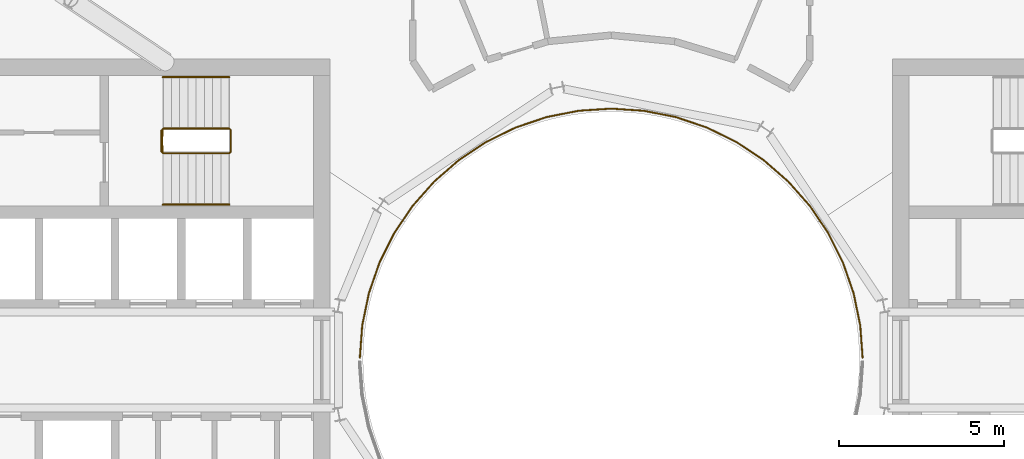
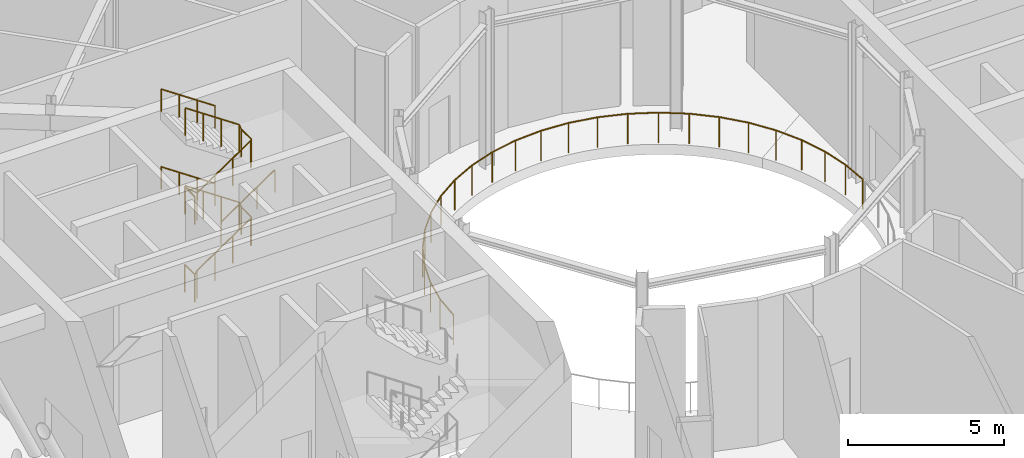
# One storey, part 22 of 24: 5 railings.
"""IFC4 building model written with IfcOpenShell, lengths in metres."""

from ifc_helpers import new_model, si_unit, direction, frame, origin, origin_2d, place, context, subcontext, project, spatial, circle, extrude, material, type_object, element, save


model = new_model("IFC4")

# Units and contexts
model_context = context("Model", 3, precision=1e-05, world=origin(), true_north=direction((0.0, 1.0)))
body_context = subcontext(model_context, "Body", "Model", "MODEL_VIEW")
ifc_project = project(units=[si_unit("LENGTHUNIT", "METRE"), si_unit("AREAUNIT", "SQUARE_METRE"), si_unit("VOLUMEUNIT", "CUBIC_METRE"), si_unit("PLANEANGLEUNIT", "RADIAN"), si_unit("MASSUNIT", "GRAM", prefix="KILO")], contexts=[model_context])

# Site, building, storey
site_placement = place(None, origin())
site = spatial("IfcSite", under=ifc_project, at=site_placement, CompositionType="ELEMENT")
building_placement = place(site_placement, origin())
building = spatial("IfcBuilding", under=site, at=building_placement, Name="Maasbend Ring Residences", CompositionType="ELEMENT")
storey_placement = place(building_placement, frame((0.0, 0.0, 179.89990234375)))
storey = spatial("IfcBuildingStorey", under=building, at=storey_placement, Name="L52", CompositionType="ELEMENT", Elevation=179.89990234375)

# Railings
ifc_material_1 = material(Name="Stainless steel 316 and glass", Category="steel")
railing_type_1 = type_object("IfcRailingType", Name="RL-GUARD", PredefinedType="GUARDRAIL", material=ifc_material_1)
railing_1_placement = place(storey_placement, frame((7.599609375, 0.06640625, 0.0)))
element("IfcRailing", 1, at=railing_1_placement, inside=storey, type_object=railing_type_1, Name="Garden guard well 1", PredefinedType="GUARDRAIL", context=body_context, shape_type="SweptSolid", body=[
    extrude(circle(Radius=0.02490234375, at=origin_2d()), frame((0.0, 0.0, 1.1748046875), z_axis=(-0.073598762792, 0.997287933405, 0.0), x_axis=(-0.997287933405, -0.073598762792, 0.0)), (0.0, 0.0, 1.0), 0.988525390625),
    extrude(circle(Radius=0.02490234375, at=origin_2d()), frame((-0.07275390625, 0.98583984375, 1.1748046875), z_axis=(-0.202760766137, 0.979228304184, 0.0), x_axis=(-0.979228304184, -0.202760766137, 0.0)), (0.0, 0.0, 1.0), 0.988525390625),
    extrude(circle(Radius=0.02490234375, at=origin_2d()), frame((-0.273193359375, 1.953857421875, 1.1748046875), z_axis=(-0.327907631853, 0.944709788757, 0.0), x_axis=(-0.944709788757, -0.327907631853, 0.0)), (0.0, 0.0, 1.0), 0.98876953125),
    extrude(circle(Radius=0.02490234375, at=origin_2d()), frame((-0.597412109375, 2.887939453125, 1.1748046875), z_axis=(-0.447806291046, 0.894130597676, 0.0), x_axis=(-0.894130597676, -0.447806291046, 0.0)), (0.0, 0.0, 1.0), 0.988525390625),
    extrude(circle(Radius=0.02490234375, at=origin_2d()), frame((-1.0400390625, 3.771728515625, 1.1748046875), z_axis=(-0.560045259563, 0.828462013155, 0.0), x_axis=(-0.828462013155, -0.560045259563, 0.0)), (0.0, 0.0, 1.0), 0.98876953125),
    extrude(circle(Radius=0.02490234375, at=origin_2d()), frame((-1.59375, 4.5908203125, 1.1748046875), z_axis=(-0.662829611997, 0.748770262137, 0.0), x_axis=(-0.748770262137, -0.662829611997, 0.0)), (0.0, 0.0, 1.0), 0.988525390625),
    extrude(circle(Radius=0.02490234375, at=origin_2d()), frame((-2.2490234375, 5.3310546875, 1.1748046875), z_axis=(-0.754424735376, 0.656386561908, 0.0), x_axis=(-0.656386561908, -0.754424735376, 0.0)), (0.0, 0.0, 1.0), 0.988525390625),
    extrude(circle(Radius=0.02490234375, at=origin_2d()), frame((-2.994873046875, 5.97998046875, 1.1748046875), z_axis=(-0.833415421364, 0.552647026078, 0.0), x_axis=(-0.552647026078, -0.833415421364, 0.0)), (0.0, 0.0, 1.0), 0.98876953125),
    extrude(circle(Radius=0.02490234375, at=origin_2d()), frame((-3.81884765625, 6.5263671875, 1.1748046875), z_axis=(-0.89795516916, 0.440086939341, 0.0), x_axis=(-0.440086939341, -0.89795516916, 0.0)), (0.0, 0.0, 1.0), 0.988525390625),
    extrude(circle(Radius=0.02490234375, at=origin_2d()), frame((-4.70654296875, 6.96142578125, 1.1748046875), z_axis=(-0.947491343753, 0.31978141521, 0.0), x_axis=(-0.31978141521, -0.947491343753, 0.0)), (0.0, 0.0, 1.0), 0.98876953125),
    extrude(circle(Radius=0.02490234375, at=origin_2d()), frame((-5.643310546875, 7.277587890625, 1.1748046875), z_axis=(-0.981024607585, 0.193883262073, 0.0), x_axis=(-0.193883262073, -0.981024607585, 0.0)), (0.0, 0.0, 1.0), 0.988525390625),
    extrude(circle(Radius=0.02490234375, at=origin_2d()), frame((-6.613037109375, 7.46923828125, 1.1748046875), z_axis=(-0.997872778693, 0.06519139163, 0.0), x_axis=(-0.06519139163, -0.997872778693, 0.0)), (0.0, 0.0, 1.0), 0.98876953125),
    extrude(circle(Radius=0.02490234375, at=origin_2d()), frame((-7.599609375, 7.53369140625, 1.1748046875), z_axis=(-0.997872778693, -0.06519139163, 0.0), x_axis=(0.06519139163, -0.997872778693, 0.0)), (0.0, 0.0, 1.0), 0.98876953125),
    extrude(circle(Radius=0.02490234375, at=origin_2d()), frame((-8.586181640625, 7.46923828125, 1.1748046875), z_axis=(-0.981024607585, -0.193883262073, 0.0), x_axis=(0.193883262073, -0.981024607585, 0.0)), (0.0, 0.0, 1.0), 0.988525390625),
    extrude(circle(Radius=0.02490234375, at=origin_2d()), frame((-9.555908203125, 7.277587890625, 1.1748046875), z_axis=(-0.947491343753, -0.31978141521, 0.0), x_axis=(0.31978141521, -0.947491343753, 0.0)), (0.0, 0.0, 1.0), 0.98876953125),
    extrude(circle(Radius=0.02490234375, at=origin_2d()), frame((-10.49267578125, 6.96142578125, 1.1748046875), z_axis=(-0.89795516916, -0.440086939341, 0.0), x_axis=(0.440086939341, -0.89795516916, 0.0)), (0.0, 0.0, 1.0), 0.988525390625),
    extrude(circle(Radius=0.02490234375, at=origin_2d()), frame((-11.38037109375, 6.5263671875, 1.1748046875), z_axis=(-0.833415421364, -0.552647026078, 0.0), x_axis=(0.552647026078, -0.833415421364, 0.0)), (0.0, 0.0, 1.0), 0.98876953125),
    extrude(circle(Radius=0.02490234375, at=origin_2d()), frame((-12.204345703125, 5.97998046875, 1.1748046875), z_axis=(-0.754424735376, -0.656386561908, 0.0), x_axis=(0.656386561908, -0.754424735376, 0.0)), (0.0, 0.0, 1.0), 0.988525390625),
    extrude(circle(Radius=0.02490234375, at=origin_2d()), frame((-12.9501953125, 5.3310546875, 1.1748046875), z_axis=(-0.662829611997, -0.748770262137, 0.0), x_axis=(0.748770262137, -0.662829611997, 0.0)), (0.0, 0.0, 1.0), 0.988525390625),
    extrude(circle(Radius=0.02490234375, at=origin_2d()), frame((-13.60546875, 4.5908203125, 1.1748046875), z_axis=(-0.560045259563, -0.828462013155, 0.0), x_axis=(0.828462013155, -0.560045259563, 0.0)), (0.0, 0.0, 1.0), 0.98876953125),
    extrude(circle(Radius=0.02490234375, at=origin_2d()), frame((-14.1591796875, 3.771728515625, 1.1748046875), z_axis=(-0.447806291046, -0.894130597676, 0.0), x_axis=(0.894130597676, -0.447806291046, 0.0)), (0.0, 0.0, 1.0), 0.988525390625),
    extrude(circle(Radius=0.02490234375, at=origin_2d()), frame((-14.601806640625, 2.887939453125, 1.1748046875), z_axis=(-0.327907631853, -0.944709788757, 0.0), x_axis=(0.944709788757, -0.327907631853, 0.0)), (0.0, 0.0, 1.0), 0.98876953125),
    extrude(circle(Radius=0.02490234375, at=origin_2d()), frame((-14.926025390625, 1.953857421875, 1.1748046875), z_axis=(-0.202760766137, -0.979228304184, 0.0), x_axis=(0.979228304184, -0.202760766137, 0.0)), (0.0, 0.0, 1.0), 0.988525390625),
    extrude(circle(Radius=0.02490234375, at=origin_2d()), frame((-15.12646484375, 0.98583984375, 1.1748046875), z_axis=(-0.073598762792, -0.997287933405, 0.0), x_axis=(0.997287933405, -0.073598762792, 0.0)), (0.0, 0.0, 1.0), 0.988525390625),
    extrude(circle(Radius=0.02001953125, at=origin_2d()), origin(), (0.0, 0.0, 1.0), 1.14990234375),
    extrude(circle(Radius=0.02001953125, at=origin_2d()), frame((-0.07275390625, 0.98583984375, 0.0)), (0.0, 0.0, 1.0), 1.14990234375),
    extrude(circle(Radius=0.02001953125, at=origin_2d()), frame((-0.273193359375, 1.953857421875, 0.0)), (0.0, 0.0, 1.0), 1.14990234375),
    extrude(circle(Radius=0.02001953125, at=origin_2d()), frame((-0.597412109375, 2.887939453125, 0.0)), (0.0, 0.0, 1.0), 1.14990234375),
    extrude(circle(Radius=0.02001953125, at=origin_2d()), frame((-1.0400390625, 3.771728515625, 0.0)), (0.0, 0.0, 1.0), 1.14990234375),
    extrude(circle(Radius=0.02001953125, at=origin_2d()), frame((-1.59375, 4.5908203125, 0.0)), (0.0, 0.0, 1.0), 1.14990234375),
    extrude(circle(Radius=0.02001953125, at=origin_2d()), frame((-2.2490234375, 5.3310546875, 0.0)), (0.0, 0.0, 1.0), 1.14990234375),
    extrude(circle(Radius=0.02001953125, at=origin_2d()), frame((-2.994873046875, 5.97998046875, 0.0)), (0.0, 0.0, 1.0), 1.14990234375),
    extrude(circle(Radius=0.02001953125, at=origin_2d()), frame((-3.81884765625, 6.5263671875, 0.0)), (0.0, 0.0, 1.0), 1.14990234375),
    extrude(circle(Radius=0.02001953125, at=origin_2d()), frame((-4.70654296875, 6.96142578125, 0.0)), (0.0, 0.0, 1.0), 1.14990234375),
    extrude(circle(Radius=0.02001953125, at=origin_2d()), frame((-5.643310546875, 7.277587890625, 0.0)), (0.0, 0.0, 1.0), 1.14990234375),
    extrude(circle(Radius=0.02001953125, at=origin_2d()), frame((-6.613037109375, 7.46923828125, 0.0)), (0.0, 0.0, 1.0), 1.14990234375),
    extrude(circle(Radius=0.02001953125, at=origin_2d()), frame((-7.599609375, 7.53369140625, 0.0)), (0.0, 0.0, 1.0), 1.14990234375),
    extrude(circle(Radius=0.02001953125, at=origin_2d()), frame((-8.586181640625, 7.46923828125, 0.0)), (0.0, 0.0, 1.0), 1.14990234375),
    extrude(circle(Radius=0.02001953125, at=origin_2d()), frame((-9.555908203125, 7.277587890625, 0.0)), (0.0, 0.0, 1.0), 1.14990234375),
    extrude(circle(Radius=0.02001953125, at=origin_2d()), frame((-10.49267578125, 6.96142578125, 0.0)), (0.0, 0.0, 1.0), 1.14990234375),
    extrude(circle(Radius=0.02001953125, at=origin_2d()), frame((-11.38037109375, 6.5263671875, 0.0)), (0.0, 0.0, 1.0), 1.14990234375),
    extrude(circle(Radius=0.02001953125, at=origin_2d()), frame((-12.204345703125, 5.97998046875, 0.0)), (0.0, 0.0, 1.0), 1.14990234375),
    extrude(circle(Radius=0.02001953125, at=origin_2d()), frame((-12.9501953125, 5.3310546875, 0.0)), (0.0, 0.0, 1.0), 1.14990234375),
    extrude(circle(Radius=0.02001953125, at=origin_2d()), frame((-13.60546875, 4.5908203125, 0.0)), (0.0, 0.0, 1.0), 1.14990234375),
    extrude(circle(Radius=0.02001953125, at=origin_2d()), frame((-14.1591796875, 3.771728515625, 0.0)), (0.0, 0.0, 1.0), 1.14990234375),
    extrude(circle(Radius=0.02001953125, at=origin_2d()), frame((-14.601806640625, 2.887939453125, 0.0)), (0.0, 0.0, 1.0), 1.14990234375),
    extrude(circle(Radius=0.02001953125, at=origin_2d()), frame((-14.926025390625, 1.953857421875, 0.0)), (0.0, 0.0, 1.0), 1.14990234375),
    extrude(circle(Radius=0.02001953125, at=origin_2d()), frame((-15.12646484375, 0.98583984375, 0.0)), (0.0, 0.0, 1.0), 1.14990234375),
    extrude(circle(Radius=0.02001953125, at=origin_2d()), frame((-15.19921875, 0.0, 0.0)), (0.0, 0.0, 1.0), 1.14990234375),
])
ifc_material_2 = material(Name="Stainless steel 316", Category="steel")
railing_type_2 = type_object("IfcRailingType", Name="STAIR GUARD 1100", PredefinedType="GUARDRAIL", material=ifc_material_2)
railing_2_placement = place(storey_placement, frame((-13.60009765625, 6.949951171875, 0.0)))
element("IfcRailing", 2, at=railing_2_placement, inside=storey, type_object=railing_type_2, Name="L52 ST-W2 stair guard 1", PredefinedType="GUARDRAIL", context=body_context, shape_type="SweptSolid", body=[
    extrude(circle(Radius=0.02392578125, at=origin_2d()), frame((0.0, 0.0, 1.076171875), z_axis=(0.0, -1.0, 0.0), x_axis=(1.0, 0.0, 0.0)), (0.0, 0.0, 1.0), 0.64990234375),
    extrude(circle(Radius=0.02392578125, at=origin_2d()), frame((0.0, -0.64990234375, 1.076171875), z_axis=(0.272562526181, -0.272562526181, 0.92272386912), x_axis=(0.707106781187, 0.707106781187, 0.0)), (0.0, 0.0, 1.0), 0.18359375),
    extrude(circle(Radius=0.02392578125, at=origin_2d()), frame((0.050048828125, -0.699951171875, 1.24560546875), z_axis=(0.827750655447, 0.0, 0.561096116906), x_axis=(0.0, 1.0, 0.0)), (0.0, 0.0, 1.0), 2.416259765625),
    extrude(circle(Radius=0.02392578125, at=origin_2d()), frame((2.050048828125, -0.699951171875, 2.60107421875), z_axis=(0.707106781187, 0.707106781187, 0.0), x_axis=(-0.707106781187, 0.707106781187, 0.0)), (0.0, 0.0, 1.0), 0.07080078125),
    extrude(circle(Radius=0.02392578125, at=origin_2d()), frame((2.10009765625, -0.64990234375, 2.60107421875), z_axis=(0.0, 1.0, 0.0), x_axis=(-1.0, 0.0, 0.0)), (0.0, 0.0, 1.0), 0.64990234375),
    extrude(circle(Radius=0.02392578125, at=origin_2d()), frame((2.10009765625, 0.0, 2.60107421875), z_axis=(-0.272562526181, 0.272562526181, 0.92272386912), x_axis=(-0.707106781187, -0.707106781187, 0.0)), (0.0, 0.0, 1.0), 0.18359375),
    extrude(circle(Radius=0.02392578125, at=origin_2d()), frame((2.050048828125, 0.050048828125, 2.7705078125), z_axis=(-0.827797584762, 0.0, 0.561026878735), x_axis=(0.0, -1.0, 0.0)), (0.0, 0.0, 1.0), 2.416015625),
    extrude(circle(Radius=0.02392578125, at=origin_2d()), frame((0.050048828125, 0.050048828125, 4.1259765625), z_axis=(-0.071321223157, -0.997453398975, 0.0), x_axis=(0.997453398975, -0.071321223157, 0.0)), (0.0, 0.0, 1.0), 0.70166015625),
    extrude(circle(Radius=0.02392578125, at=origin_2d()), frame((0.0, -0.64990234375, 4.1259765625), z_axis=(0.0, 1.0, 0.0), x_axis=(-1.0, 0.0, 0.0)), (0.0, 0.0, 1.0), 0.64990234375),
    extrude(circle(Radius=0.02392578125, at=origin_2d()), frame((0.0, 0.0, 4.1259765625), z_axis=(0.069328998915, -0.969591414091, 0.234704025594), x_axis=(0.997453398975, 0.071321223157, 0.0)), (0.0, 0.0, 1.0), 0.721923828125),
    extrude(circle(Radius=0.02392578125, at=origin_2d()), frame((0.050048828125, -0.699951171875, 4.29541015625), z_axis=(0.827750655447, 0.0, 0.561096116906), x_axis=(0.0, 1.0, 0.0)), (0.0, 0.0, 1.0), 2.416259765625),
    extrude(circle(Radius=0.02392578125, at=origin_2d()), frame((2.050048828125, -0.699951171875, 5.6513671875), z_axis=(0.707106781187, 0.707106781187, 0.0), x_axis=(-0.707106781187, 0.707106781187, 0.0)), (0.0, 0.0, 1.0), 0.07080078125),
    extrude(circle(Radius=0.02392578125, at=origin_2d()), frame((2.10009765625, -0.64990234375, 5.6513671875), z_axis=(0.0, 1.0, 0.0), x_axis=(-1.0, 0.0, 0.0)), (0.0, 0.0, 1.0), 0.64990234375),
    extrude(circle(Radius=0.02392578125, at=origin_2d()), frame((2.10009765625, 0.0, 5.6513671875), z_axis=(-0.272562526181, 0.272562526181, 0.92272386912), x_axis=(-0.707106781187, -0.707106781187, 0.0)), (0.0, 0.0, 1.0), 0.18359375),
    extrude(circle(Radius=0.02392578125, at=origin_2d()), frame((2.050048828125, 0.050048828125, 5.82080078125), z_axis=(-0.827797584762, 0.0, 0.561026878735), x_axis=(0.0, -1.0, 0.0)), (0.0, 0.0, 1.0), 2.416015625),
    extrude(circle(Radius=0.02099609375, at=origin_2d()), origin(), (0.0, 0.0, 1.0), 1.052001953125),
    extrude(circle(Radius=0.02099609375, at=origin_2d()), frame((0.0, -0.64990234375, 0.0)), (0.0, 0.0, 1.0), 1.052001953125),
    extrude(circle(Radius=0.02099609375, at=origin_2d()), frame((0.050048828125, -0.699951171875, 0.16943359375)), (0.0, 0.0, 1.0), 1.052001953125),
    extrude(circle(Radius=0.02099609375, at=origin_2d()), frame((0.716796875, -0.699951171875, 0.621337890625)), (0.0, 0.0, 1.0), 1.052001953125),
    extrude(circle(Radius=0.02099609375, at=origin_2d()), frame((1.38330078125, -0.699951171875, 1.0732421875)), (0.0, 0.0, 1.0), 1.052001953125),
    extrude(circle(Radius=0.02099609375, at=origin_2d()), frame((2.050048828125, -0.699951171875, 1.525146484375)), (0.0, 0.0, 1.0), 1.052001953125),
    extrude(circle(Radius=0.02099609375, at=origin_2d()), frame((2.10009765625, -0.64990234375, 1.525146484375)), (0.0, 0.0, 1.0), 1.052001953125),
    extrude(circle(Radius=0.02099609375, at=origin_2d()), frame((2.10009765625, 0.0, 1.525146484375)), (0.0, 0.0, 1.0), 1.052001953125),
    extrude(circle(Radius=0.02099609375, at=origin_2d()), frame((2.050048828125, 0.050048828125, 1.694580078125)), (0.0, 0.0, 1.0), 1.052001953125),
    extrude(circle(Radius=0.02099609375, at=origin_2d()), frame((1.38330078125, 0.050048828125, 2.146484375)), (0.0, 0.0, 1.0), 1.052001953125),
    extrude(circle(Radius=0.02099609375, at=origin_2d()), frame((0.716796875, 0.050048828125, 2.59814453125)), (0.0, 0.0, 1.0), 1.052001953125),
    extrude(circle(Radius=0.02099609375, at=origin_2d()), frame((0.050048828125, 0.050048828125, 3.050048828125)), (0.0, 0.0, 1.0), 1.052001953125),
    extrude(circle(Radius=0.02099609375, at=origin_2d()), frame((0.0, -0.64990234375, 3.050048828125)), (0.0, 0.0, 1.0), 1.052001953125),
    extrude(circle(Radius=0.02099609375, at=origin_2d()), frame((0.0, 0.0, 3.050048828125)), (0.0, 0.0, 1.0), 1.052001953125),
    extrude(circle(Radius=0.02099609375, at=origin_2d()), frame((0.050048828125, -0.699951171875, 3.219482421875)), (0.0, 0.0, 1.0), 1.052001953125),
    extrude(circle(Radius=0.02099609375, at=origin_2d()), frame((0.716796875, -0.699951171875, 3.67138671875)), (0.0, 0.0, 1.0), 1.052001953125),
    extrude(circle(Radius=0.02099609375, at=origin_2d()), frame((1.38330078125, -0.699951171875, 4.123291015625)), (0.0, 0.0, 1.0), 1.052001953125),
    extrude(circle(Radius=0.02099609375, at=origin_2d()), frame((2.050048828125, -0.699951171875, 4.5751953125)), (0.0, 0.0, 1.0), 1.052001953125),
    extrude(circle(Radius=0.02099609375, at=origin_2d()), frame((2.10009765625, -0.64990234375, 4.5751953125)), (0.0, 0.0, 1.0), 1.052001953125),
    extrude(circle(Radius=0.02099609375, at=origin_2d()), frame((2.10009765625, 0.0, 4.5751953125)), (0.0, 0.0, 1.0), 1.052001953125),
    extrude(circle(Radius=0.02099609375, at=origin_2d()), frame((2.050048828125, 0.050048828125, 4.74462890625)), (0.0, 0.0, 1.0), 1.052001953125),
    extrude(circle(Radius=0.02099609375, at=origin_2d()), frame((1.38330078125, 0.050048828125, 5.196533203125)), (0.0, 0.0, 1.0), 1.052001953125),
    extrude(circle(Radius=0.02099609375, at=origin_2d()), frame((0.716796875, 0.050048828125, 5.648193359375)), (0.0, 0.0, 1.0), 1.052001953125),
    extrude(circle(Radius=0.02099609375, at=origin_2d()), frame((0.050048828125, 0.050048828125, 6.10009765625)), (0.0, 0.0, 1.0), 1.052001953125),
])
ifc_material_3 = material(Name="Stainless steel 316", Category="steel")
railing_type_3 = type_object("IfcRailingType", Name="STAIR HANDRAIL 900", PredefinedType="HANDRAIL", material=ifc_material_3)
railing_3_placement = place(storey_placement, frame((-11.550048828125, 8.550048828125, 1.694580078125)))
element("IfcRailing", 3, at=railing_3_placement, inside=storey, type_object=railing_type_3, Name="L52 ST-W2 stair handrail 2", PredefinedType="HANDRAIL", context=body_context, shape_type="SweptSolid", body=[
    extrude(circle(Radius=0.02392578125, at=origin_2d()), frame((0.0, 0.0, 0.8759765625), z_axis=(-0.827797584762, 0.0, 0.561026878735), x_axis=(0.0, -1.0, 0.0)), (0.0, 0.0, 1.0), 2.416015625),
    extrude(circle(Radius=0.02099609375, at=origin_2d()), origin(), (0.0, 0.0, 1.0), 0.851806640625),
    extrude(circle(Radius=0.02099609375, at=origin_2d()), frame((-0.666748046875, 0.0, 0.451904296875)), (0.0, 0.0, 1.0), 0.851806640625),
    extrude(circle(Radius=0.02099609375, at=origin_2d()), frame((-1.333251953125, 0.0, 0.903564453125)), (0.0, 0.0, 1.0), 0.851806640625),
    extrude(circle(Radius=0.02099609375, at=origin_2d()), frame((-2.0, 0.0, 1.35546875)), (0.0, 0.0, 1.0), 0.851806640625),
])
railing_4_placement = place(storey_placement, frame((-13.550048828125, 4.699951171875, 3.219482421875)))
element("IfcRailing", 4, at=railing_4_placement, inside=storey, type_object=railing_type_3, Name="L52 ST-W2 stair handrail 3", PredefinedType="HANDRAIL", context=body_context, shape_type="SweptSolid", body=[
    extrude(circle(Radius=0.02392578125, at=origin_2d()), frame((0.0, 0.0, 0.8759765625), z_axis=(0.827750655447, 0.0, 0.561096116906), x_axis=(0.0, 1.0, 0.0)), (0.0, 0.0, 1.0), 2.416259765625),
    extrude(circle(Radius=0.02099609375, at=origin_2d()), origin(), (0.0, 0.0, 1.0), 0.851806640625),
    extrude(circle(Radius=0.02099609375, at=origin_2d()), frame((0.666748046875, 0.0, 0.451904296875)), (0.0, 0.0, 1.0), 0.851806640625),
    extrude(circle(Radius=0.02099609375, at=origin_2d()), frame((1.333251953125, 0.0, 0.90380859375)), (0.0, 0.0, 1.0), 0.851806640625),
    extrude(circle(Radius=0.02099609375, at=origin_2d()), frame((2.0, 0.0, 1.355712890625)), (0.0, 0.0, 1.0), 0.851806640625),
])
railing_5_placement = place(storey_placement, frame((-11.550048828125, 8.550048828125, 4.74462890625)))
element("IfcRailing", 5, at=railing_5_placement, inside=storey, type_object=railing_type_3, Name="L52 ST-W2 stair handrail 4", PredefinedType="HANDRAIL", context=body_context, shape_type="SweptSolid", body=[
    extrude(circle(Radius=0.02392578125, at=origin_2d()), frame((0.0, 0.0, 0.8759765625), z_axis=(-0.827797584762, 0.0, 0.561026878735), x_axis=(0.0, -1.0, 0.0)), (0.0, 0.0, 1.0), 2.416015625),
    extrude(circle(Radius=0.02099609375, at=origin_2d()), origin(), (0.0, 0.0, 1.0), 0.851806640625),
    extrude(circle(Radius=0.02099609375, at=origin_2d()), frame((-0.666748046875, 0.0, 0.451904296875)), (0.0, 0.0, 1.0), 0.851806640625),
    extrude(circle(Radius=0.02099609375, at=origin_2d()), frame((-1.333251953125, 0.0, 0.903564453125)), (0.0, 0.0, 1.0), 0.851806640625),
    extrude(circle(Radius=0.02099609375, at=origin_2d()), frame((-2.0, 0.0, 1.35546875)), (0.0, 0.0, 1.0), 0.851806640625),
])

save(model, "model.ifc")
